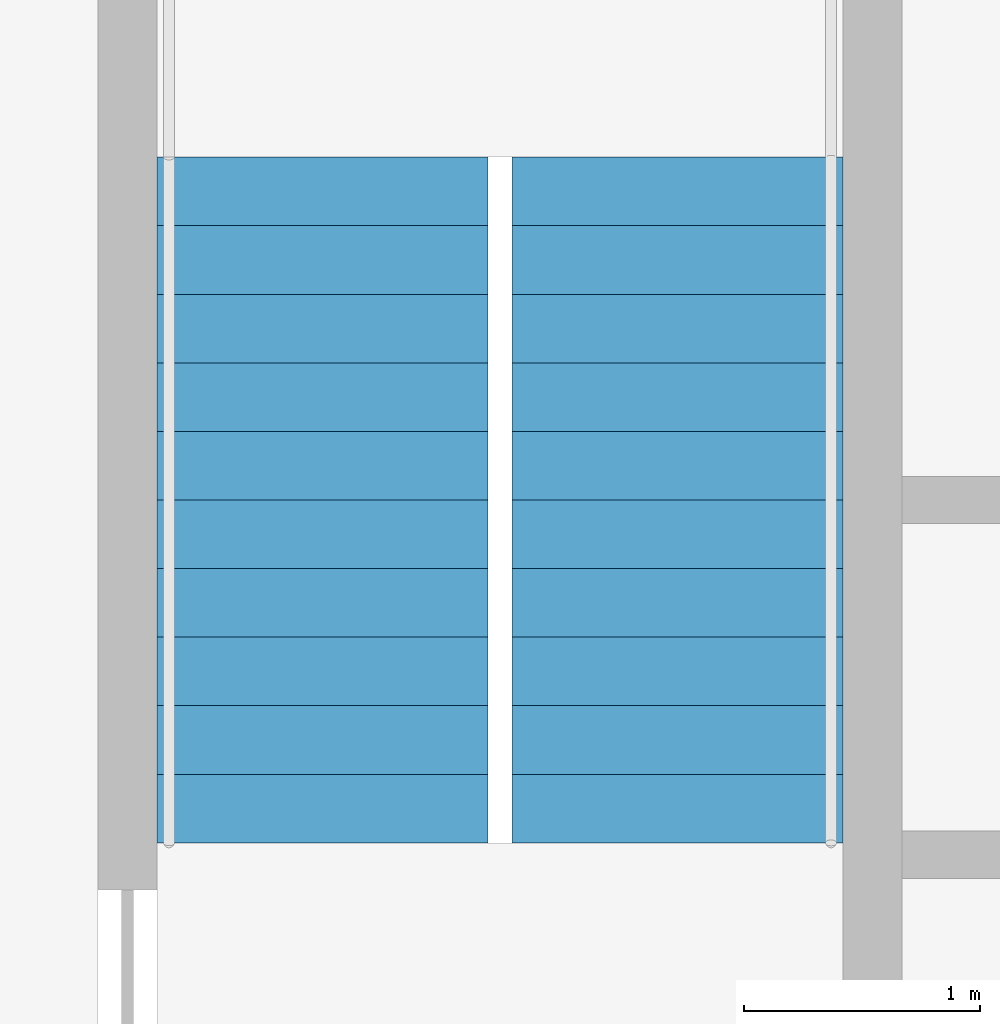
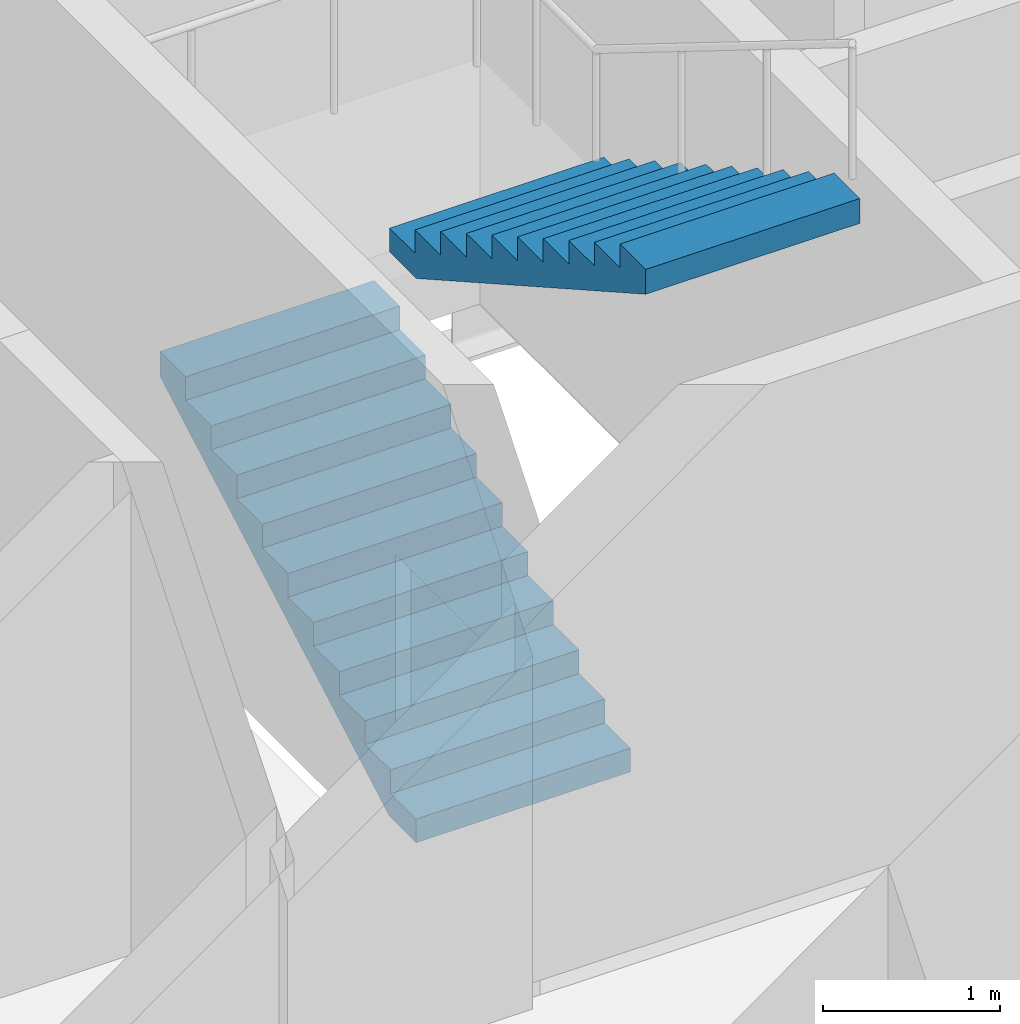
# One storey, part 24 of 26: 2 stair flights, 1 element without a shape of its own.
"""IFC4 building model written with IfcOpenShell, lengths in metres."""

from ifc_helpers import new_model, si_unit, direction, frame, origin, place, context, subcontext, project, spatial, polyline, outline, extrude, material, type_object, element, aggregate, save


model = new_model("IFC4")

# Units and contexts
model_context = context("Model", 3, precision=1e-05, world=origin(), true_north=direction((0.0, 1.0)))
body_context = subcontext(model_context, "Body", "Model", "MODEL_VIEW")
ifc_project = project(units=[si_unit("LENGTHUNIT", "METRE"), si_unit("AREAUNIT", "SQUARE_METRE"), si_unit("VOLUMEUNIT", "CUBIC_METRE"), si_unit("PLANEANGLEUNIT", "RADIAN"), si_unit("MASSUNIT", "GRAM", prefix="KILO")], contexts=[model_context])

# Site, building, storey
site_placement = place(None, origin())
site = spatial("IfcSite", under=ifc_project, at=site_placement, CompositionType="ELEMENT")
building_placement = place(site_placement, origin())
building = spatial("IfcBuilding", under=site, at=building_placement, Name="Marenta Gate Hotel Tower", CompositionType="ELEMENT")
storey_placement = place(building_placement, frame((0.0, 0.0, 72.5)))
storey = spatial("IfcBuildingStorey", under=building, at=storey_placement, Name="L16", CompositionType="ELEMENT", Elevation=72.5)

# Stair, stair flights
ifc_material_1 = material(Name="Concrete C40", Category="concrete")
stair_type = type_object("IfcStairType", Name="Remote exit stair 1400 wide", PredefinedType="HALF_TURN_STAIR", material=ifc_material_1)
stair_placement = place(storey_placement, origin())
stair = element("IfcStair", 1, at=stair_placement, inside=storey, type_object=stair_type, Name="Exit stair RS-Z1-4", PredefinedType="HALF_TURN_STAIR")
ifc_material_2 = material(Name="Concrete C40", Category="concrete")
stair_flight_type = type_object("IfcStairFlightType", Name="Remote stair flight 1400 riser 163.6 going 290", PredefinedType="STRAIGHT", material=ifc_material_2)
stair_flight_1_placement = place(storey_placement, frame((10.64990234375, 20.14990234375, 0.0), z_axis=(0.0, 0.0, 1.0), x_axis=(0.0, 1.0, 0.0)))
stair_flight_1 = element("IfcStairFlight", 2, at=stair_flight_1_placement, type_object=stair_flight_type, Name="RS-Z1-4 flight 1", NumberOfRisers=11, NumberOfTreads=10, PredefinedType="STRAIGHT", RiserHeight=0.163636, TreadLength=0.29, context=body_context, shape_type="SweptSolid", body=[
    extrude(outline(polyline([(0.0, 0.0), (0.0, 0.16357421875), (0.2900390625, 0.16357421875), (0.2900390625, 0.327392578125), (0.580078125, 0.327392578125), (0.580078125, 0.490966796875), (0.8701171875, 0.490966796875), (0.8701171875, 0.654541015625), (1.159912109375, 0.654541015625), (1.159912109375, 0.818115234375), (1.449951171875, 0.818115234375), (1.449951171875, 0.98193359375), (1.739990234375, 0.98193359375), (1.739990234375, 1.1455078125), (2.030029296875, 1.1455078125), (2.030029296875, 1.30908203125), (2.320068359375, 1.30908203125), (2.320068359375, 1.47265625), (2.610107421875, 1.47265625), (2.610107421875, 1.636474609375), (2.89990234375, 1.636474609375), (2.89990234375, 1.800048828125), (2.89990234375, 1.46435546875), (0.304931640625, 0.0), (0.0, 0.0)])), frame((0.0, 0.699951171875, 0.0), z_axis=(0.0, -1.0, 0.0), x_axis=(1.0, 0.0, 0.0)), (0.0, 0.0, 1.0), 1.39990234375),
])
stair_flight_2_placement = place(storey_placement, frame((12.14990234375, 23.050048828125, 1.800048828125), z_axis=(0.0, 0.0, 1.0), x_axis=(0.0, -1.0, 0.0)))
stair_flight_2 = element("IfcStairFlight", 3, at=stair_flight_2_placement, type_object=stair_flight_type, Name="RS-Z1-4 flight 2", NumberOfRisers=11, NumberOfTreads=10, PredefinedType="STRAIGHT", RiserHeight=0.163636, TreadLength=0.29, context=body_context, shape_type="SweptSolid", body=[
    extrude(outline(polyline([(0.0, 0.0), (0.0, 0.16357421875), (0.2900390625, 0.16357421875), (0.2900390625, 0.327392578125), (0.580078125, 0.327392578125), (0.580078125, 0.490966796875), (0.8701171875, 0.490966796875), (0.8701171875, 0.654541015625), (1.159912109375, 0.654541015625), (1.159912109375, 0.818115234375), (1.449951171875, 0.818115234375), (1.449951171875, 0.98193359375), (1.739990234375, 0.98193359375), (1.739990234375, 1.1455078125), (2.030029296875, 1.1455078125), (2.030029296875, 1.30908203125), (2.320068359375, 1.30908203125), (2.320068359375, 1.47265625), (2.610107421875, 1.47265625), (2.610107421875, 1.636474609375), (2.89990234375, 1.636474609375), (2.89990234375, 1.800048828125), (2.89990234375, 1.46435546875), (0.304931640625, 0.0), (0.0, 0.0)])), frame((0.0, 0.699951171875, 0.0), z_axis=(0.0, -1.0, 0.0), x_axis=(1.0, 0.0, 0.0)), (0.0, 0.0, 1.0), 1.39990234375),
])
aggregate(stair, [stair_flight_1, stair_flight_2])

save(model, "model.ifc")
